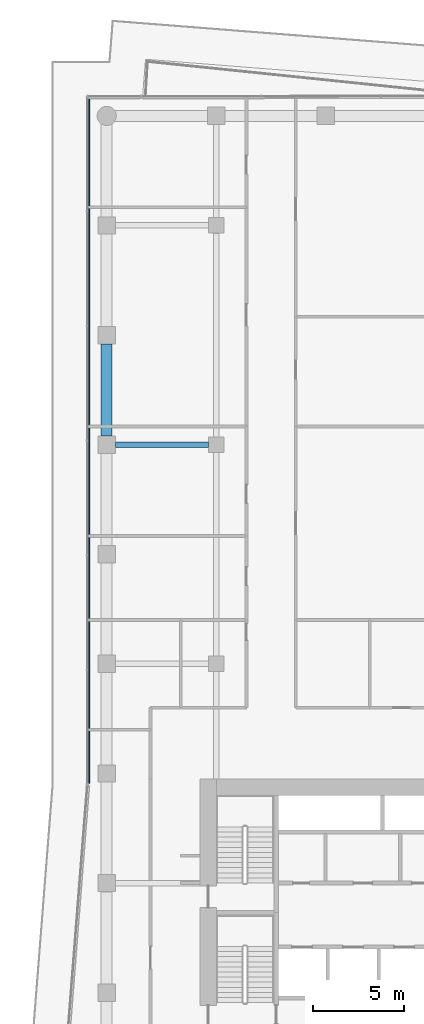
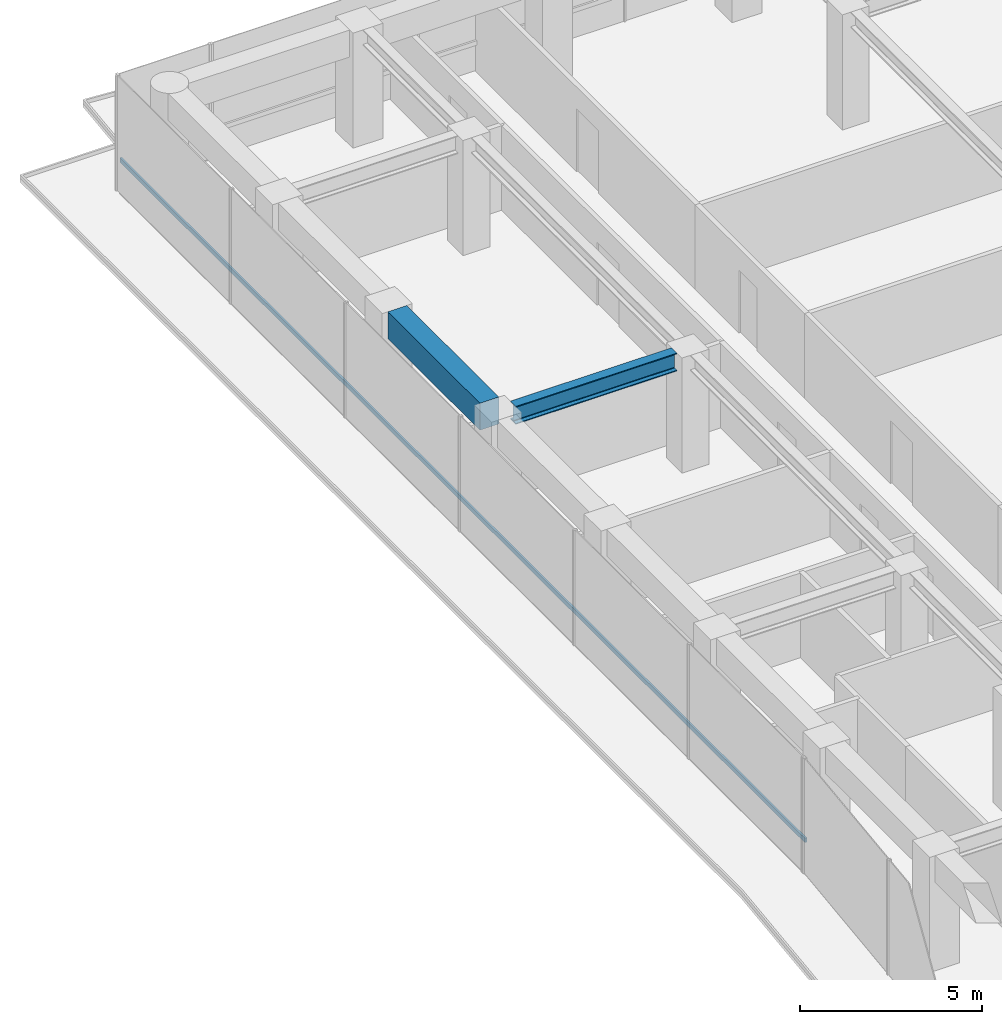
# One storey, part 15 of 29: 2 beams, 1 member, 1 element without a shape of its own.
"""IFC4 building model written with IfcOpenShell, lengths in metres."""

import ifcopenshell
import ifcopenshell.guid

model = None  # the IFC model being written
_history = None  # IfcOwnerHistory: only IFC2X3 demands one
_inside = {}  # id of a spatial element -> (the spatial element, [elements in it])
_under = {}  # id of a project, library or spatial element -> (it, [spatial elements below it])
_declared = {}  # id of a project -> (the project, [libraries it declares])
_typed = {}  # id of a type object -> (the type object, [elements of that type])
_made_of = {}  # id of a material, layer set ... -> (it, [elements and type objects made of it])


def new_model(schema):
    """Start an empty IFC model of exactly this schema.

    Asked for "IFC4X3", IfcOpenShell would pick the latest addendum, in which some entities
    have other attributes; the version numbers below select the first issue.
    IFC2X3 requires an IfcOwnerHistory on every rooted entity: one is made here for all.
    """
    global model, _history
    if schema == "IFC4X3":
        model = ifcopenshell.file(schema_version=(4, 3, 0, 0))
    else:
        model = ifcopenshell.file(schema=schema)
    _inside.clear()
    _under.clear()
    _declared.clear()
    _typed.clear()
    _made_of.clear()
    _history = None
    if model.schema == "IFC2X3":
        org = make("IfcOrganization", Name="unknown")
        user = make(
            "IfcPersonAndOrganization",
            ThePerson=make("IfcPerson", FamilyName="unknown"),
            TheOrganization=org,
        )
        app = make(
            "IfcApplication",
            ApplicationDeveloper=org,
            Version="unknown",
            ApplicationFullName="unknown",
            ApplicationIdentifier="unknown",
        )
        _history = make(
            "IfcOwnerHistory",
            OwningUser=user,
            OwningApplication=app,
            ChangeAction="ADDED",
            CreationDate=0,
        )
    return model


def make(cls, **values):
    """One entity of the class cls with the attributes given. An attribute that is None is left unset."""
    return model.create_entity(
        cls, **{name: value for name, value in values.items() if value is not None}
    )


def rooted(cls, **values):
    """An entity with a GlobalId (a new one), such as an element, a storey or a relation."""
    return make(cls, GlobalId=ifcopenshell.guid.new(), OwnerHistory=_history, **values)


def si_unit(unit_type, name, prefix=None):
    """IfcSIUnit, for example si_unit("LENGTHUNIT", "METRE", prefix="MILLI")."""
    return make("IfcSIUnit", UnitType=unit_type, Prefix=prefix, Name=name)


def assignment(units):
    """IfcUnitAssignment: the units of a project."""
    return None if units is None else make("IfcUnitAssignment", Units=units)


def point(xyz):
    """IfcCartesianPoint."""
    return None if xyz is None else make("IfcCartesianPoint", Coordinates=xyz)


def direction(xyz):
    """IfcDirection."""
    return None if xyz is None else make("IfcDirection", DirectionRatios=xyz)


def frame(location, z_axis=None, x_axis=None):
    """IfcAxis2Placement3D, a coordinate frame: its origin and axes. An axis left out is left unset."""
    return make(
        "IfcAxis2Placement3D",
        Location=point(location),
        Axis=direction(z_axis),
        RefDirection=direction(x_axis),
    )


def frame_2d(location, x_axis=None):
    """IfcAxis2Placement2D, a coordinate frame in the plane: its origin and x axis."""
    return make(
        "IfcAxis2Placement2D", Location=point(location), RefDirection=direction(x_axis)
    )


def origin():
    """The frame at (0, 0, 0) with its axes left unset."""
    return frame((0.0, 0.0, 0.0))


def origin_2d():
    """The frame at (0, 0) in the plane with its x axis left unset."""
    return frame_2d((0.0, 0.0))


def place(relative_to, where):
    """IfcLocalPlacement: puts the frame where relative to a parent placement (None: the world)."""
    return make(
        "IfcLocalPlacement", PlacementRelTo=relative_to, RelativePlacement=where
    )


def context(
    kind, dimensions, precision=None, world=None, true_north=None, identifier=None
):
    """IfcGeometricRepresentationContext, for example the 3D "Model" context."""
    return make(
        "IfcGeometricRepresentationContext",
        ContextIdentifier=identifier,
        ContextType=kind,
        CoordinateSpaceDimension=dimensions,
        Precision=precision,
        WorldCoordinateSystem=world,
        TrueNorth=true_north,
    )


def subcontext(parent, identifier, kind, view, scale=None):
    """IfcGeometricRepresentationSubContext, for example "Body" below "Model"."""
    return make(
        "IfcGeometricRepresentationSubContext",
        ContextIdentifier=identifier,
        ContextType=kind,
        ParentContext=parent,
        TargetScale=scale,
        TargetView=view,
    )


def project(units=None, contexts=None):
    """IfcProject with its units and contexts."""
    return rooted(
        "IfcProject",
        Name="project",
        RepresentationContexts=contexts,
        UnitsInContext=assignment(units),
    )


def spatial(cls, under=None, at=None, **own):
    """A site, building, storey or space (cls), placed at a placement, below another one or the project."""
    s = rooted(cls, ObjectPlacement=at, **own)
    if under is not None:
        _under.setdefault(under.id(), (under, []))[1].append(s)
    return s


def profile(cls, at=None, kind="AREA", **sizes):
    """A parametric profile (cls). Its sizes go by their IFC names, for example OverallWidth=200.0."""
    return make(cls, ProfileType=kind, Position=at, **sizes)


def rectangle(**sizes):
    """IfcRectangleProfileDef."""
    return profile("IfcRectangleProfileDef", **sizes)


def i_section(**sizes):
    """IfcIShapeProfileDef."""
    return profile("IfcIShapeProfileDef", **sizes)


def extrude(swept, where, along, depth):
    """IfcExtrudedAreaSolid: the profile swept, set in the frame where, extruded along a direction by depth."""
    return make(
        "IfcExtrudedAreaSolid",
        SweptArea=swept,
        Position=where,
        ExtrudedDirection=direction(along),
        Depth=depth,
    )


def shape(context_of_items, identifier, shape_type, items):
    """IfcShapeRepresentation: the items that make up one representation, for example the "Body"."""
    return make(
        "IfcShapeRepresentation",
        ContextOfItems=context_of_items,
        RepresentationIdentifier=identifier,
        RepresentationType=shape_type,
        Items=items,
    )


def material(Name=None, Category=None):
    """IfcMaterial."""
    return make("IfcMaterial", Name=Name, Category=Category)


def layer(
    of_material, thickness, ventilated=None, Name=None, Category=None, Priority=None
):
    """IfcMaterialLayer: one layer of a wall or slab, of a material (None: an air gap)."""
    return make(
        "IfcMaterialLayer",
        Material=of_material,
        LayerThickness=thickness,
        IsVentilated=ventilated,
        Name=Name,
        Category=Category,
        Priority=Priority,
    )


def layer_set(layers, Name=None):
    """IfcMaterialLayerSet."""
    return make("IfcMaterialLayerSet", MaterialLayers=layers, LayerSetName=Name)


def material_profile(
    of_material, cross_section, Name=None, Category=None, Priority=None
):
    """IfcMaterialProfile: a cross section and its material."""
    return make(
        "IfcMaterialProfile",
        Name=Name,
        Material=of_material,
        Profile=cross_section,
        Priority=Priority,
        Category=Category,
    )


def profile_set(profiles, Name=None, composite=None):
    """IfcMaterialProfileSet."""
    return make(
        "IfcMaterialProfileSet",
        Name=Name,
        MaterialProfiles=profiles,
        CompositeProfile=composite,
    )


def made_of(thing, what):
    """Note that an element or type object is made of a material, layer set ...; save() writes the relation."""
    if what is not None:
        _made_of.setdefault(what.id(), (what, []))[1].append(thing)
    return thing


def type_object(cls, material=None, **own):
    """A type object (cls), such as IfcWallType, which elements share."""
    return made_of(rooted(cls, **own), material)


def element(
    cls,
    number,
    at=None,
    inside=None,
    cuts=None,
    type_object=None,
    material=None,
    context=None,
    identifier="Body",
    shape_type=None,
    held_by="IfcProductDefinitionShape",
    body=None,
    shapes=None,
    **own,
):
    """One element of the class cls, such as IfcWall. Its Tag is "e" and its number.

    at: its placement. inside: the storey or other place that contains it. cuts: it is an
    opening in that element (IfcRelVoidsElement). A single representation is given by context,
    identifier, shape_type and body (its items); several are given by shapes. held_by: the class
    of the entity that holds the representations. save() writes the other relations.
    """
    e = rooted(cls, Tag="e%d" % number, ObjectPlacement=at, **own)
    if body is not None:
        shapes = [shape(context, identifier, shape_type, body)]
    if shapes is not None:
        e.Representation = make(held_by, Representations=shapes)
    if inside is not None:
        _inside.setdefault(inside.id(), (inside, []))[1].append(e)
    if cuts is not None:
        rooted(
            "IfcRelVoidsElement", RelatingBuildingElement=cuts, RelatedOpeningElement=e
        )
    if type_object is not None:
        _typed.setdefault(type_object.id(), (type_object, []))[1].append(e)
    return made_of(e, material)


def aggregate(whole, parts):
    """IfcRelAggregates: a whole, such as a stair, and the parts it consists of."""
    return rooted("IfcRelAggregates", RelatingObject=whole, RelatedObjects=parts)


def save(model, path):
    """Write the relations noted so far, then the file.

    IfcRelAggregates (storeys below a building ...), IfcRelContainedInSpatialStructure (elements
    in a storey), IfcRelDefinesByType, IfcRelAssociatesMaterial and IfcRelDeclares: one each for
    every whole, place, type object, material and project.
    """
    for whole, parts in _under.values():
        aggregate(whole, parts)
    for where, things in _inside.values():
        rooted(
            "IfcRelContainedInSpatialStructure",
            RelatedElements=things,
            RelatingStructure=where,
        )
    for kind, things in _typed.values():
        rooted("IfcRelDefinesByType", RelatedObjects=things, RelatingType=kind)
    for what, things in _made_of.values():
        rooted("IfcRelAssociatesMaterial", RelatedObjects=things, RelatingMaterial=what)
    for by, libraries in _declared.values():
        rooted("IfcRelDeclares", RelatingContext=by, RelatedDefinitions=libraries)
    model.write(path)


model = new_model("IFC4")

# Units and contexts
model_context = context("Model", 3, precision=1e-05, world=origin(), true_north=direction((0.0, 1.0)))
body_context = subcontext(model_context, "Body", "Model", "MODEL_VIEW")
ifc_project = project(units=[si_unit("LENGTHUNIT", "METRE"), si_unit("AREAUNIT", "SQUARE_METRE"), si_unit("VOLUMEUNIT", "CUBIC_METRE"), si_unit("PLANEANGLEUNIT", "RADIAN"), si_unit("MASSUNIT", "GRAM", prefix="KILO")], contexts=[model_context])

# Site, building, storey
site_placement = place(None, origin())
site = spatial("IfcSite", under=ifc_project, at=site_placement, CompositionType="ELEMENT")
building_placement = place(site_placement, origin())
building = spatial("IfcBuilding", under=site, at=building_placement, Name="Welwitschia Terrace Campus", CompositionType="ELEMENT")
storey_placement = place(building_placement, frame((0.0, 0.0, 33.199951171875)))
storey = spatial("IfcBuildingStorey", under=building, at=storey_placement, Name="L07", CompositionType="ELEMENT", Elevation=33.199951171875)

# Beams
ifc_material_1 = material(Name="Steel S355", Category="steel")
ifc_material_profile_1 = material_profile(ifc_material_1, i_section(OverallWidth=0.300048828125, OverallDepth=0.60009765625, WebThickness=0.015380859375, FlangeThickness=0.030029296875, FilletRadius=0.027099609375, at=origin_2d()))
ifc_profile_set_1 = profile_set([ifc_material_profile_1], Name="Steel S355")
beam_type_1 = type_object("IfcBeamType", Name="Primary beam HE 600 B", PredefinedType="BEAM", material=ifc_profile_set_1)
beam_1_placement = place(storey_placement, frame((0.4755859375, 44.0, 3.550048828125), z_axis=(1.0, 0.0, 0.0), x_axis=(0.0, 1.0, 0.0)))
element("IfcBeam", 1, at=beam_1_placement, inside=storey, type_object=beam_type_1, Name="Primary beam PB2", PredefinedType="BEAM", context=body_context, shape_type="SweptSolid", body=[
    extrude(i_section(OverallWidth=0.300048828125, OverallDepth=0.60009765625, WebThickness=0.015380859375, FlangeThickness=0.030029296875, FilletRadius=0.027099609375, at=origin_2d()), origin(), (0.0, 0.0, 1.0), 5.098876953125),
])
ifc_material_2 = material(Name="Concrete C60/75", Category="concrete")
ifc_material_profile_2 = material_profile(ifc_material_2, rectangle(XDim=0.60009765625, YDim=0.89990234375, at=origin_2d()))
ifc_profile_set_2 = profile_set([ifc_material_profile_2], Name="Concrete C60/75")
beam_type_2 = type_object("IfcBeamType", Name="Ring spandrel 600x900", PredefinedType="SPANDREL", material=ifc_profile_set_2)
beam_2_placement = place(storey_placement, frame((0.0, 49.5244140625, 3.400146484375), z_axis=(0.0, -1.0, 0.0), x_axis=(1.0, 0.0, 0.0)))
element("IfcBeam", 2, at=beam_2_placement, inside=storey, type_object=beam_type_2, Name="Spandrel SP2", PredefinedType="SPANDREL", context=body_context, shape_type="SweptSolid", body=[
    extrude(rectangle(XDim=0.60009765625, YDim=0.89990234375, at=origin_2d()), origin(), (0.0, 0.0, 1.0), 5.048828125),
])

# Curtain wall, member
ifc_material_3 = material(Name="Bronze anodised aluminium", Category="aluminium")
ifc_layer = layer(ifc_material_3, 0.1201171875)
ifc_layer_set = layer_set([ifc_layer], Name="Bronze anodised aluminium")
curtain_wall_type = type_object("IfcCurtainWallType", Name="Curtain wall CW2 tower 6000", PredefinedType="NOTDEFINED", material=ifc_layer_set)
curtain_wall_placement = place(storey_placement, origin())
curtain_wall = element("IfcCurtainWall", 3, at=curtain_wall_placement, inside=storey, type_object=curtain_wall_type, Name="CW L07.17.0", PredefinedType="NOTDEFINED")
ifc_material_4 = material(Name="Bronze anodised aluminium", Category="aluminium")
ifc_material_profile_3 = material_profile(ifc_material_4, rectangle(XDim=0.06005859375, YDim=0.14990234375, at=origin_2d()))
ifc_profile_set_3 = profile_set([ifc_material_profile_3], Name="Bronze anodised aluminium")
member_type = type_object("IfcMemberType", Name="Transom 60x150", PredefinedType="USERDEFINED", material=ifc_profile_set_3)
member_placement = place(storey_placement, frame((-0.968017578125, 62.998046875, 1.0), z_axis=(0.0, -1.0, 0.0), x_axis=(1.0, 0.0, 0.0)))
member = element("IfcMember", 4, at=member_placement, type_object=member_type, Name="Transom L07.17.0", ObjectType="TRANSOM", PredefinedType="USERDEFINED", context=body_context, shape_type="SweptSolid", body=[
    extrude(rectangle(XDim=0.06005859375, YDim=0.14990234375, at=origin_2d()), origin(), (0.0, 0.0, 1.0), 37.5400390625),
])
aggregate(curtain_wall, [member])

save(model, "model.ifc")
